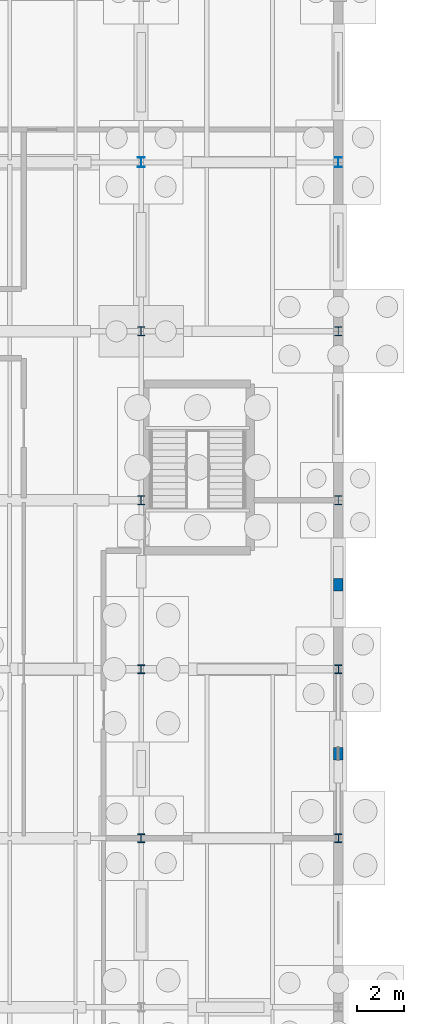
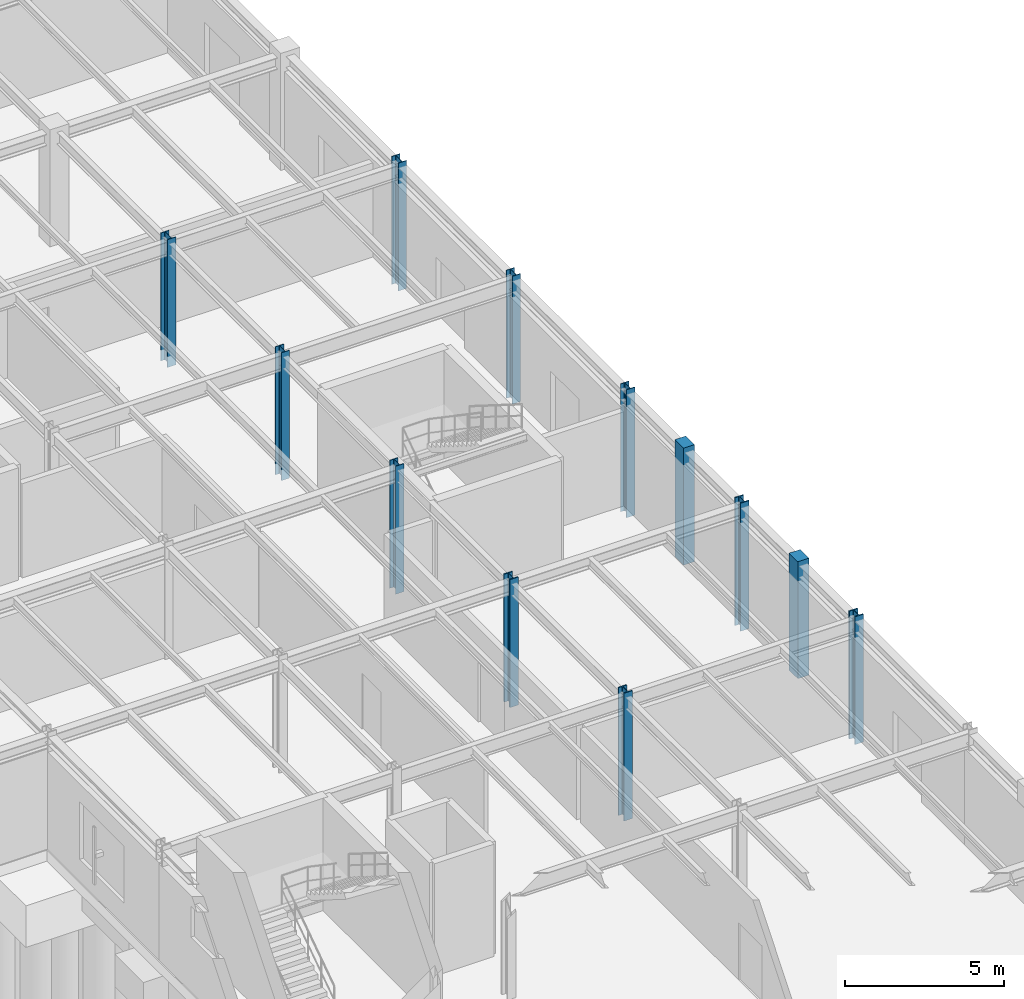
# One storey, part 31 of 93: 12 columns.
"""IFC4 building model written with IfcOpenShell, lengths in metres."""

from ifc_helpers import new_model, si_unit, derived_unit, direction, frame, origin, origin_2d, place, context, subcontext, project, spatial, rectangle, i_section, extrude, material, material_profile, profile_set, type_object, element, save


model = new_model("IFC4")

# Units and contexts
model_context = context("Model", 3, precision=1e-05, world=origin(), true_north=direction((0.0, 1.0)))
body_context = subcontext(model_context, "Body", "Model", "MODEL_VIEW")
ifc_project = project(units=[si_unit("LENGTHUNIT", "METRE"), si_unit("AREAUNIT", "SQUARE_METRE"), si_unit("VOLUMEUNIT", "CUBIC_METRE"), si_unit("PLANEANGLEUNIT", "RADIAN"), si_unit("MASSUNIT", "GRAM", prefix="KILO"), derived_unit("THERMALTRANSMITTANCEUNIT", [(si_unit("MASSUNIT", "GRAM", prefix="KILO"), 1), (si_unit("TIMEUNIT", "SECOND"), -3), (si_unit("THERMODYNAMICTEMPERATUREUNIT", "KELVIN"), -1)])], contexts=[model_context])

# Site, building, storey
site_placement = place(None, origin())
site = spatial("IfcSite", under=ifc_project, at=site_placement, CompositionType="ELEMENT")
building_placement = place(site_placement, origin())
building = spatial("IfcBuilding", under=site, at=building_placement, Name="Kharveza Railside Sports Centre", CompositionType="ELEMENT")
storey_placement = place(building_placement, origin())
storey = spatial("IfcBuildingStorey", under=building, at=storey_placement, Name="L00", CompositionType="ELEMENT", Elevation=0.0)

# Columns
ifc_material_1 = material(Name="Concrete C35/45", Category="concrete")
ifc_material_profile_1 = material_profile(ifc_material_1, rectangle(XDim=0.39990234375, YDim=0.550048828125, at=origin_2d()), Name="RC 400x550")
ifc_profile_set_1 = profile_set([ifc_material_profile_1], Name="Concrete C35/45")
column_type_1 = type_object("IfcColumnType", Name="COL-RC06", PredefinedType="PILASTER", material=ifc_profile_set_1)
for number, where, z_axis, x_axis, name in (
    (1, (168.0, 68.39990234375, 0.0), (0.0, 0.0, 1.0), (1.0, 0.0, 0.0), "COL-PIL-BRM-07"),
    (2, (168.0, 75.60009765625, 0.0), (0.0, 0.0, 1.0), (1.0, 0.0, 0.0), "COL-PIL-BRM-08"),
):
    element("IfcColumn", number, at=place(storey_placement, frame(where, z_axis=z_axis, x_axis=x_axis)), inside=storey, type_object=column_type_1, Name=name, PredefinedType="PILASTER", context=body_context, shape_type="SweptSolid", body=[
        extrude(rectangle(XDim=0.39990234375, YDim=0.550048828125, at=origin_2d()), origin(), (0.0, 0.0, 1.0), 4.5),
    ])
ifc_material_2 = material(Name="Steel S355J2", Category="steel")
ifc_material_profile_2 = material_profile(ifc_material_2, i_section(OverallWidth=0.30810546875, OverallDepth=0.39501953125, WebThickness=0.02099609375, FlangeThickness=0.0400390625, FilletRadius=0.027099609375, at=origin_2d()), Name="HEM 360")
ifc_profile_set_2 = profile_set([ifc_material_profile_2], Name="Steel S355J2")
column_type_2 = type_object("IfcColumnType", Name="COL-S02", PredefinedType="COLUMN", material=ifc_profile_set_2)
for number, where, z_axis, x_axis, name in (
    (3, (159.60009765625, 64.800048828125, -0.419921875), (0.0, 0.0, 1.0), (1.0, 0.0, 0.0), "COL-G-C02-X1596-Y648-L00"),
    (4, (159.60009765625, 72.0, -0.419921875), (0.0, 0.0, 1.0), (1.0, 0.0, 0.0), "COL-G-C02-X1596-Y720-L00"),
    (5, (168.0, 64.800048828125, -0.419921875), (0.0, 0.0, 1.0), (1.0, 0.0, 0.0), "COL-G-C02-X1680-Y648-L00"),
    (6, (168.0, 72.0, -0.419921875), (0.0, 0.0, 1.0), (1.0, 0.0, 0.0), "COL-G-C02-X1680-Y720-L00"),
):
    element("IfcColumn", number, at=place(storey_placement, frame(where, z_axis=z_axis, x_axis=x_axis)), inside=storey, type_object=column_type_2, Name=name, PredefinedType="COLUMN", context=body_context, shape_type="SweptSolid", body=[
        extrude(i_section(OverallWidth=0.30810546875, OverallDepth=0.39501953125, WebThickness=0.02099609375, FlangeThickness=0.0400390625, FilletRadius=0.027099609375, at=origin_2d()), origin(), (0.0, 0.0, 1.0), 4.919921875),
    ])
ifc_material_profile_3 = material_profile(ifc_material_2, i_section(OverallWidth=0.300048828125, OverallDepth=0.39990234375, WebThickness=0.013427734375, FlangeThickness=0.02392578125, FilletRadius=0.027099609375, at=origin_2d()), Name="HEB 400")
ifc_profile_set_3 = profile_set([ifc_material_profile_3], Name="Steel S355J2")
column_type_3 = type_object("IfcColumnType", Name="COL-S05", PredefinedType="COLUMN", material=ifc_profile_set_3)
for number, where, z_axis, x_axis, name in (
    (7, (159.60009765625, 79.199951171875, -0.419921875), (0.0, 0.0, 1.0), (1.0, 0.0, 0.0), "COL-G-C05-X1596-Y792-L00"),
    (8, (159.60009765625, 86.39990234375, -0.419921875), (0.0, 0.0, 1.0), (1.0, 0.0, 0.0), "COL-G-C05-X1596-Y864-L00"),
    (9, (168.0, 79.199951171875, -0.419921875), (0.0, 0.0, 1.0), (1.0, 0.0, 0.0), "COL-G-C05-X1680-Y792-L00"),
    (10, (168.0, 86.39990234375, -0.419921875), (0.0, 0.0, 1.0), (1.0, 0.0, 0.0), "COL-G-C05-X1680-Y864-L00"),
):
    element("IfcColumn", number, at=place(storey_placement, frame(where, z_axis=z_axis, x_axis=x_axis)), inside=storey, type_object=column_type_3, Name=name, PredefinedType="COLUMN", context=body_context, shape_type="SweptSolid", body=[
        extrude(i_section(OverallWidth=0.300048828125, OverallDepth=0.39990234375, WebThickness=0.013427734375, FlangeThickness=0.02392578125, FilletRadius=0.027099609375, at=origin_2d()), origin(), (0.0, 0.0, 1.0), 4.919921875),
    ])
ifc_material_profile_4 = material_profile(ifc_material_2, i_section(OverallWidth=0.300048828125, OverallDepth=0.43994140625, WebThickness=0.011474609375, FlangeThickness=0.02099609375, FilletRadius=0.027099609375, at=origin_2d()), Name="HEA 450")
ifc_profile_set_4 = profile_set([ifc_material_profile_4], Name="Steel S355J2")
column_type_4 = type_object("IfcColumnType", Name="COL-S09", PredefinedType="COLUMN", material=ifc_profile_set_4)
for number, where, z_axis, x_axis, name in (
    (11, (159.60009765625, 93.60009765625, -0.419921875), (0.0, 0.0, 1.0), (1.0, 0.0, 0.0), "COL-G-C09-X1596-Y936-L00"),
    (12, (168.0, 93.60009765625, -0.419921875), (0.0, 0.0, 1.0), (1.0, 0.0, 0.0), "COL-G-C09-X1680-Y936-L00"),
):
    element("IfcColumn", number, at=place(storey_placement, frame(where, z_axis=z_axis, x_axis=x_axis)), inside=storey, type_object=column_type_4, Name=name, PredefinedType="COLUMN", context=body_context, shape_type="SweptSolid", body=[
        extrude(i_section(OverallWidth=0.300048828125, OverallDepth=0.43994140625, WebThickness=0.011474609375, FlangeThickness=0.02099609375, FilletRadius=0.027099609375, at=origin_2d()), origin(), (0.0, 0.0, 1.0), 4.919921875),
    ])

save(model, "model.ifc")
